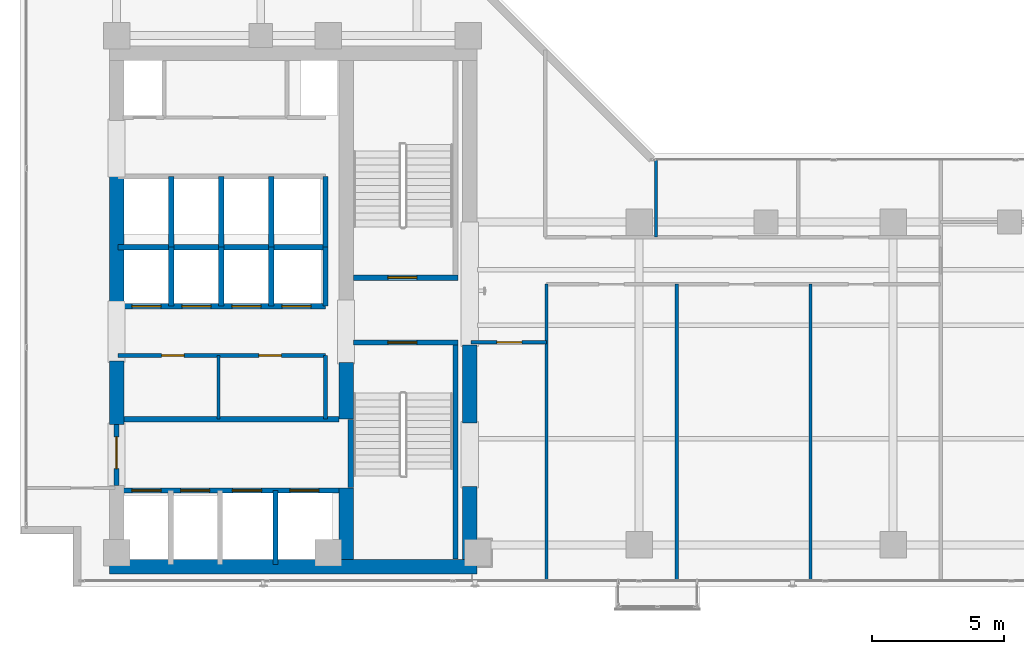
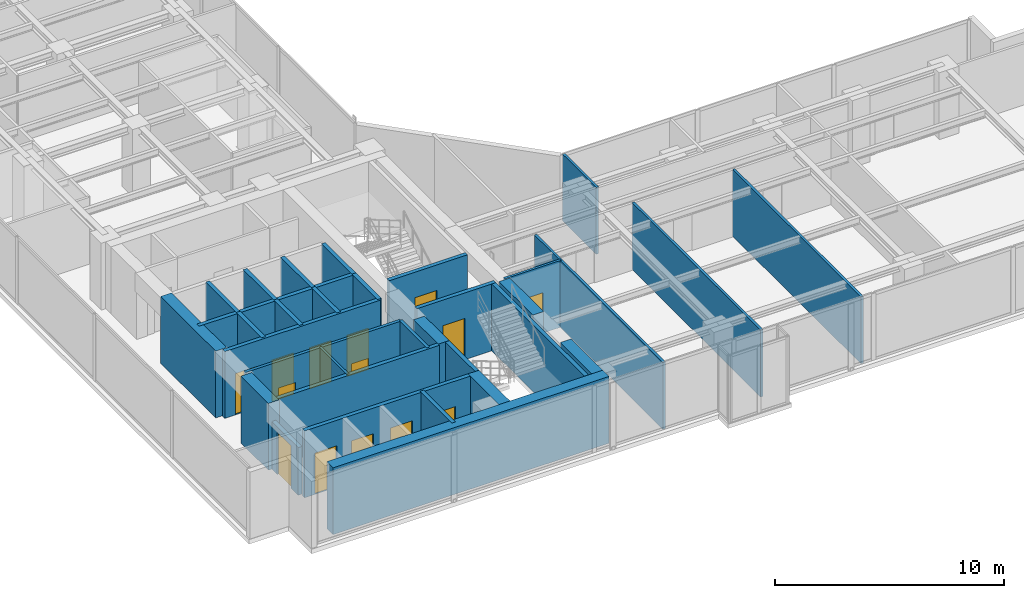
# One storey, part 17 of 23: 33 walls, 14 doors, 14 openings.
"""IFC4 building model written with IfcOpenShell, lengths in metres."""

from ifc_helpers import new_model, si_unit, direction, frame, frame_2d, origin, place, context, subcontext, project, spatial, rectangle, extrude, material, layer, layer_set, type_object, element, fill, save


model = new_model("IFC4")

# Units and contexts
model_context = context("Model", 3, precision=1e-05, world=origin(), true_north=direction((0.0, 1.0)))
body_context = subcontext(model_context, "Body", "Model", "MODEL_VIEW")
ifc_project = project(units=[si_unit("LENGTHUNIT", "METRE"), si_unit("AREAUNIT", "SQUARE_METRE"), si_unit("VOLUMEUNIT", "CUBIC_METRE"), si_unit("PLANEANGLEUNIT", "RADIAN"), si_unit("MASSUNIT", "GRAM", prefix="KILO")], contexts=[model_context])

# Site, building, storey
site_placement = place(None, origin())
site = spatial("IfcSite", under=ifc_project, at=site_placement, CompositionType="ELEMENT")
building_placement = place(site_placement, origin())
building = spatial("IfcBuilding", under=site, at=building_placement, Name="Kolvaren Waterfront Exchange", CompositionType="ELEMENT")
storey_placement = place(building_placement, frame((0.0, 0.0, 215.89990234375)))
storey = spatial("IfcBuildingStorey", under=building, at=storey_placement, Name="L55", CompositionType="ELEMENT", Elevation=215.89990234375)

# Wall, opening, door
ifc_material_1 = material(Name="Precast concrete C40/50", Category="concrete")
ifc_layer_1 = layer(ifc_material_1, 0.199951171875, Name="Precast concrete C40/50")
ifc_layer_set_1 = layer_set([ifc_layer_1], Name="Precast concrete C40/50")
wall_type_1 = type_object("IfcWallType", Name="ARC-FIRE-200", PredefinedType="PARTITIONING", material=ifc_layer_set_1)
wall_1_placement = place(storey_placement, frame((16.39990234375, 12.85009765625, 0.0), z_axis=(0.0, 0.0, 1.0), x_axis=(1.0, 0.0, 0.0)))
wall_1 = element("IfcWall", 1, at=wall_1_placement, inside=storey, type_object=wall_type_1, Name="L55 interior wall PW-L55-ST1-THROAT-S", PredefinedType="PARTITIONING", context=body_context, shape_type="SweptSolid", body=[
    extrude(rectangle(XDim=3.960205078125, YDim=0.199951171875, at=frame_2d((1.97998046875, 0.0))), origin(), (0.0, 0.0, 1.0), 3.56005859375),
])
opening_1_placement = place(wall_1_placement, frame((1.3037109375, 0.0, 0.0)))
opening_1 = element("IfcOpeningElement", 2, at=opening_1_placement, cuts=wall_1, Name="Opening FD2", PredefinedType="OPENING", context=body_context, shape_type="SweptSolid", body=[
    extrude(rectangle(XDim=1.10009765625, YDim=2.199951171875, at=frame_2d((0.550048828125, 1.10009765625))), frame((0.0, 0.10986328125, 0.0), z_axis=(0.0, -1.0, 0.0), x_axis=(1.0, 0.0, 0.0)), (0.0, 0.0, 1.0), 0.219970703125),
])
ifc_material_2 = material(Name="Pressed steel smoke-seal fire door", Category="steel")
door_type_1 = type_object("IfcDoorType", Name="ARC-FD-1100", OperationType="NOTDEFINED", PredefinedType="DOOR", material=ifc_material_2)
door_1_placement = place(opening_1_placement, frame((1.10009765625, 0.0, 0.0), z_axis=(0.0, 0.0, 1.0), x_axis=(-1.0, 0.0, 0.0)))
door_1 = element("IfcDoor", 3, at=door_1_placement, inside=storey, type_object=door_type_1, Name="L55 door DR-L55-ST1-IN (FD2)", OperationType="SINGLE_SWING_LEFT", OverallHeight=2.199951171875, OverallWidth=1.10009765625, PredefinedType="DOOR", context=body_context, shape_type="SweptSolid", body=[
    extrude(rectangle(XDim=1.10009765625, YDim=2.199951171875, at=frame_2d((0.550048828125, 1.10009765625))), frame((0.0, 0.02490234375, 0.0), z_axis=(0.0, -1.0, 0.0), x_axis=(1.0, 0.0, 0.0)), (0.0, 0.0, 1.0), 0.050048828125),
])
fill(opening_1, door_1)

wall_2_placement = place(storey_placement, frame((16.409912109375, 15.300048828125, 0.0), z_axis=(0.0, 0.0, 1.0), x_axis=(1.0, 0.0, 0.0)))
wall_2 = element("IfcWall", 4, at=wall_2_placement, inside=storey, type_object=wall_type_1, Name="L55 interior wall PW-L55-ST2-THROAT-N", PredefinedType="PARTITIONING", context=body_context, shape_type="SweptSolid", body=[
    extrude(rectangle(XDim=3.9501953125, YDim=0.199951171875, at=frame_2d((1.97509765625, 0.0))), origin(), (0.0, 0.0, 1.0), 3.56005859375),
])
opening_2_placement = place(wall_2_placement, frame((1.293701171875, 0.0, 0.0)))
opening_2 = element("IfcOpeningElement", 5, at=opening_2_placement, cuts=wall_2, Name="Opening FD2", PredefinedType="OPENING", context=body_context, shape_type="SweptSolid", body=[
    extrude(rectangle(XDim=1.10009765625, YDim=2.199951171875, at=frame_2d((0.550048828125, 1.10009765625))), frame((0.0, 0.10986328125, 0.0), z_axis=(0.0, -1.0, 0.0), x_axis=(1.0, 0.0, 0.0)), (0.0, 0.0, 1.0), 0.219970703125),
])
door_2_placement = place(opening_2_placement, origin())
door_2 = element("IfcDoor", 6, at=door_2_placement, inside=storey, type_object=door_type_1, Name="L55 door DR-L55-ST2-IN (FD2)", OperationType="SINGLE_SWING_RIGHT", OverallHeight=2.199951171875, OverallWidth=1.10009765625, PredefinedType="DOOR", context=body_context, shape_type="SweptSolid", body=[
    extrude(rectangle(XDim=1.10009765625, YDim=2.199951171875, at=frame_2d((0.550048828125, 1.10009765625))), frame((0.0, 0.02490234375, 0.0), z_axis=(0.0, -1.0, 0.0), x_axis=(1.0, 0.0, 0.0)), (0.0, 0.0, 1.0), 0.050048828125),
])
fill(opening_2, door_2)

# Wall
wall_3_placement = place(storey_placement, frame((7.5, 9.949951171875, 0.0), z_axis=(0.0, 0.0, 1.0), x_axis=(1.0, 0.0, 0.0)))
element("IfcWall", 7, at=wall_3_placement, inside=storey, type_object=wall_type_1, Name="L55 interior wall PW-L55-FF-N", PredefinedType="PARTITIONING", context=body_context, shape_type="SweptSolid", body=[
    extrude(rectangle(XDim=8.35009765625, YDim=0.199951171875, at=frame_2d((4.175048828125, 0.0))), origin(), (0.0, 0.0, 1.0), 3.56005859375),
])

# Wall, opening, door
wall_4_placement = place(storey_placement, frame((7.449951171875, 7.449951171875, 0.0), z_axis=(0.0, 0.0, 1.0), x_axis=(0.0, 1.0, 0.0)))
wall_4 = element("IfcWall", 8, at=wall_4_placement, inside=storey, type_object=wall_type_1, Name="L55 interior wall PW-L55-FF-W-DOOR", PredefinedType="PARTITIONING", context=body_context, shape_type="SweptSolid", body=[
    extrude(rectangle(XDim=2.300048828125, YDim=0.199951171875, at=frame_2d((1.14990234375, 0.0))), origin(), (0.0, 0.0, 1.0), 2.5400390625),
])
opening_3_placement = place(wall_4_placement, frame((0.63330078125, 0.0, 0.0)))
opening_3 = element("IfcOpeningElement", 9, at=opening_3_placement, cuts=wall_4, Name="Opening FD3", PredefinedType="OPENING", context=body_context, shape_type="SweptSolid", body=[
    extrude(rectangle(XDim=1.199951171875, YDim=2.25, at=frame_2d((0.60009765625, 1.125))), frame((0.0, 0.10986328125, 0.0), z_axis=(0.0, -1.0, 0.0), x_axis=(1.0, 0.0, 0.0)), (0.0, 0.0, 1.0), 0.219970703125),
])
ifc_material_3 = material(Name="Pressed steel fire door", Category="steel")
door_type_2 = type_object("IfcDoorType", Name="ARC-FD-1200", OperationType="NOTDEFINED", PredefinedType="DOOR", material=ifc_material_3)
door_3_placement = place(opening_3_placement, frame((1.199951171875, 0.0, 0.0), z_axis=(0.0, 0.0, 1.0), x_axis=(-1.0, 0.0, 0.0)))
door_3 = element("IfcDoor", 10, at=door_3_placement, inside=storey, type_object=door_type_2, Name="L55 door DR-L55-FF-OUT (FD3)", OperationType="SINGLE_SWING_LEFT", OverallHeight=2.25, OverallWidth=1.199951171875, PredefinedType="DOOR", context=body_context, shape_type="SweptSolid", body=[
    extrude(rectangle(XDim=1.199951171875, YDim=2.25, at=frame_2d((0.60009765625, 1.125))), frame((0.0, 0.02490234375, 0.0), z_axis=(0.0, -1.0, 0.0), x_axis=(1.0, 0.0, 0.0)), (0.0, 0.0, 1.0), 0.050048828125),
])
fill(opening_3, door_3)

# Wall
ifc_material_4 = material(Name="Acoustic gypsum steel stud", Category="steel")
ifc_layer_2 = layer(ifc_material_4, 0.125, Name="Acoustic gypsum steel stud")
ifc_layer_set_2 = layer_set([ifc_layer_2], Name="Acoustic gypsum steel stud")
wall_type_2 = type_object("IfcWallType", Name="ARC-PART-125", PredefinedType="PARTITIONING", material=ifc_layer_set_2)
wall_5_placement = place(storey_placement, frame((11.300048828125, 9.949951171875, 0.0), z_axis=(0.0, 0.0, 1.0), x_axis=(0.0, 1.0, 0.0)))
element("IfcWall", 11, at=wall_5_placement, inside=storey, type_object=wall_type_2, Name="L55 interior wall PW-L55-REC-PL-MID", PredefinedType="PARTITIONING", context=body_context, shape_type="SweptSolid", body=[
    extrude(rectangle(XDim=2.41015625, YDim=0.125, at=frame_2d((1.205078125, 0.0))), origin(), (0.0, 0.0, 1.0), 3.56005859375),
])

# Wall, opening, door
wall_6_placement = place(storey_placement, frame((20.85009765625, 12.860107421875, 0.0), z_axis=(0.0, 0.0, 1.0), x_axis=(1.0, 0.0, 0.0)))
wall_6 = element("IfcWall", 12, at=wall_6_placement, inside=storey, type_object=wall_type_2, Name="L55 interior wall PW-L55-SWST3-N", PredefinedType="PARTITIONING", context=body_context, shape_type="SweptSolid", body=[
    extrude(rectangle(XDim=2.849853515625, YDim=0.125, at=frame_2d((1.4248046875, 0.0))), origin(), (0.0, 0.0, 1.0), 3.56005859375),
])
opening_4_placement = place(wall_6_placement, frame((0.971435546875, 0.0, 0.0)))
opening_4 = element("IfcOpeningElement", 13, at=opening_4_placement, cuts=wall_6, Name="Opening D02", PredefinedType="OPENING", context=body_context, shape_type="SweptSolid", body=[
    extrude(rectangle(XDim=0.949951171875, YDim=2.14990234375, at=frame_2d((0.47509765625, 1.074951171875))), frame((0.0, 0.072509765625, 0.0), z_axis=(0.0, -1.0, 0.0), x_axis=(1.0, 0.0, 0.0)), (0.0, 0.0, 1.0), 0.14501953125),
])
ifc_material_5 = material(Name="Oak veneer acoustic timber", Category="wood")
door_type_3 = type_object("IfcDoorType", Name="ARC-DR-950", OperationType="NOTDEFINED", PredefinedType="DOOR", material=ifc_material_5)
door_4_placement = place(opening_4_placement, origin())
door_4 = element("IfcDoor", 14, at=door_4_placement, inside=storey, type_object=door_type_3, Name="L55 door DR-L55-SWST3-D (D02)", OperationType="SINGLE_SWING_RIGHT", OverallHeight=2.14990234375, OverallWidth=0.949951171875, PredefinedType="DOOR", context=body_context, shape_type="SweptSolid", body=[
    extrude(rectangle(XDim=0.949951171875, YDim=2.14990234375, at=frame_2d((0.47509765625, 1.074951171875))), frame((0.0, 0.02490234375, 0.0), z_axis=(0.0, -1.0, 0.0), x_axis=(1.0, 0.0, 0.0)), (0.0, 0.0, 1.0), 0.050048828125),
])
fill(opening_4, door_4)

# Walls
for number, where, z_axis, x_axis, name in (
    (15, (23.699951171875, 3.840087890625, 0.0), (0.0, 0.0, 1.0), (0.0, 1.0, 0.0), "L55 interior wall PW-L55-ES-W0"),
    (16, (28.6201171875, 3.840087890625, 0.0), (0.0, 0.0, 1.0), (0.0, 1.0, 0.0), "L55 interior wall PW-L55-ES-DIV-1"),
    (17, (33.679931640625, 3.840087890625, 0.0), (0.0, 0.0, 1.0), (0.0, 1.0, 0.0), "L55 interior wall PW-L55-ES-DIV-2"),
):
    element("IfcWall", number, at=place(storey_placement, frame(where, z_axis=z_axis, x_axis=x_axis)), inside=storey, type_object=wall_type_2, Name=name, PredefinedType="PARTITIONING", context=body_context, shape_type="SweptSolid", body=[
        extrude(rectangle(XDim=11.2099609375, YDim=0.125, at=frame_2d((5.60498046875, 0.0))), origin(), (0.0, 0.0, 1.0), 3.56005859375),
    ])
wall_7_placement = place(storey_placement, frame((27.840087890625, 16.830078125, 0.0), z_axis=(0.0, 0.0, 1.0), x_axis=(0.0, 1.0, 0.0)))
element("IfcWall", 18, at=wall_7_placement, inside=storey, type_object=wall_type_2, Name="L55 interior wall PW-L55-EN-DIV-1", PredefinedType="PARTITIONING", context=body_context, shape_type="SweptSolid", body=[
    extrude(rectangle(XDim=2.929931640625, YDim=0.125, at=frame_2d((1.46484375, 0.0))), origin(), (0.0, 0.0, 1.0), 3.56005859375),
])

# Wall, openings, doors
ifc_material_6 = material(Name="Gypsum fireboard steel stud", Category="steel")
ifc_layer_3 = layer(ifc_material_6, 0.14990234375, Name="Gypsum fireboard steel stud")
ifc_layer_set_3 = layer_set([ifc_layer_3], Name="Gypsum fireboard steel stud")
wall_type_3 = type_object("IfcWallType", Name="ARC-PART-150", PredefinedType="PARTITIONING", material=ifc_layer_set_3)
wall_8_placement = place(storey_placement, frame((7.5, 12.360107421875, 0.0), z_axis=(0.0, 0.0, 1.0), x_axis=(1.0, 0.0, 0.0)))
wall_8 = element("IfcWall", 19, at=wall_8_placement, inside=storey, type_object=wall_type_3, Name="L55 interior wall PW-L55-REC-PL-N", PredefinedType="PARTITIONING", context=body_context, shape_type="SweptSolid", body=[
    extrude(rectangle(XDim=7.85009765625, YDim=0.14990234375, at=frame_2d((3.925048828125, 0.0))), origin(), (0.0, 0.0, 1.0), 3.56005859375),
])
opening_5_placement = place(wall_8_placement, frame((1.64990234375, 0.0, 0.0)))
opening_5 = element("IfcOpeningElement", 20, at=opening_5_placement, cuts=wall_8, Name="Opening D01", PredefinedType="OPENING", context=body_context, shape_type="SweptSolid", body=[
    extrude(rectangle(XDim=0.85009765625, YDim=2.14990234375, at=frame_2d((0.425048828125, 1.074951171875))), frame((0.0, 0.0849609375, 0.0), z_axis=(0.0, -1.0, 0.0), x_axis=(1.0, 0.0, 0.0)), (0.0, 0.0, 1.0), 0.169921875),
])
opening_6_placement = place(wall_8_placement, frame((5.329345703125, 0.0, 0.0)))
opening_6 = element("IfcOpeningElement", 21, at=opening_6_placement, cuts=wall_8, Name="Opening D01", PredefinedType="OPENING", context=body_context, shape_type="SweptSolid", body=[
    extrude(rectangle(XDim=0.85009765625, YDim=2.14990234375, at=frame_2d((0.425048828125, 1.074951171875))), frame((0.0, 0.0849609375, 0.0), z_axis=(0.0, -1.0, 0.0), x_axis=(1.0, 0.0, 0.0)), (0.0, 0.0, 1.0), 0.169921875),
])
ifc_material_7 = material(Name="Oak veneer timber leaf", Category="wood")
door_type_4 = type_object("IfcDoorType", Name="ARC-DR-900", OperationType="NOTDEFINED", PredefinedType="DOOR", material=ifc_material_7)
door_5_placement = place(opening_5_placement, origin())
door_5 = element("IfcDoor", 22, at=door_5_placement, inside=storey, type_object=door_type_4, Name="L55 door DR-L55-REC-PL-D1 (D01)", OperationType="SINGLE_SWING_RIGHT", OverallHeight=2.14990234375, OverallWidth=0.85009765625, PredefinedType="DOOR", context=body_context, shape_type="SweptSolid", body=[
    extrude(rectangle(XDim=0.85009765625, YDim=2.14990234375, at=frame_2d((0.425048828125, 1.074951171875))), frame((0.0, 0.02490234375, 0.0), z_axis=(0.0, -1.0, 0.0), x_axis=(1.0, 0.0, 0.0)), (0.0, 0.0, 1.0), 0.050048828125),
])
fill(opening_5, door_5)
door_6_placement = place(opening_6_placement, origin())
door_6 = element("IfcDoor", 23, at=door_6_placement, inside=storey, type_object=door_type_4, Name="L55 door DR-L55-REC-PL-D2 (D01)", OperationType="SINGLE_SWING_LEFT", OverallHeight=2.14990234375, OverallWidth=0.85009765625, PredefinedType="DOOR", context=body_context, shape_type="SweptSolid", body=[
    extrude(rectangle(XDim=0.85009765625, YDim=2.14990234375, at=frame_2d((0.425048828125, 1.074951171875))), frame((0.0, 0.02490234375, 0.0), z_axis=(0.0, -1.0, 0.0), x_axis=(1.0, 0.0, 0.0)), (0.0, 0.0, 1.0), 0.050048828125),
])
fill(opening_6, door_6)

# Walls
wall_9_placement = place(storey_placement, frame((15.35009765625, 9.949951171875, 0.0), z_axis=(0.0, 0.0, 1.0), x_axis=(0.0, 1.0, 0.0)))
element("IfcWall", 24, at=wall_9_placement, inside=storey, type_object=wall_type_3, Name="L55 interior wall PW-L55-REC-PL-E", PredefinedType="PARTITIONING", context=body_context, shape_type="SweptSolid", body=[
    extrude(rectangle(XDim=2.41015625, YDim=0.14990234375, at=frame_2d((1.205078125, 0.0))), origin(), (0.0, 0.0, 1.0), 3.56005859375),
])
ifc_material_8 = material(Name="Concrete C40/50", Category="concrete")
ifc_layer_4 = layer(ifc_material_8, 0.199951171875, Name="Concrete C40/50")
ifc_layer_set_4 = layer_set([ifc_layer_4], Name="Concrete C40/50")
wall_type_4 = type_object("IfcWallType", Name="ARC-SHAFT-200", PredefinedType="PARTITIONING", material=ifc_layer_set_4)
wall_10_placement = place(storey_placement, frame((16.300048828125, 7.360107421875, 0.0), z_axis=(0.0, 0.0, 1.0), x_axis=(0.0, 1.0, 0.0)))
element("IfcWall", 25, at=wall_10_placement, inside=storey, type_object=wall_type_4, Name="L55 structural stairwell wall PW-L55-ST1-W", PredefinedType="SHEAR", context=body_context, shape_type="SweptSolid", body=[
    extrude(rectangle(XDim=2.579833984375, YDim=0.199951171875, at=frame_2d((1.2900390625, 0.0))), origin(), (0.0, 0.0, 1.0), 3.56005859375),
])
wall_11_placement = place(storey_placement, frame((20.260009765625, 4.659912109375, 0.0), z_axis=(0.0, 0.0, 1.0), x_axis=(0.0, 1.0, 0.0)))
element("IfcWall", 26, at=wall_11_placement, inside=storey, type_object=wall_type_4, Name="L55 structural stairwell wall PW-L55-ST1-E", PredefinedType="SHEAR", context=body_context, shape_type="SweptSolid", body=[
    extrude(rectangle(XDim=8.090087890625, YDim=0.199951171875, at=frame_2d((4.044921875, 0.0))), origin(), (0.0, 0.0, 1.0), 3.56005859375),
])

# Wall, openings, doors
wall_12_placement = place(storey_placement, frame((7.5, 7.25, 0.0), z_axis=(0.0, 0.0, 1.0), x_axis=(1.0, 0.0, 0.0)))
wall_12 = element("IfcWall", 27, at=wall_12_placement, inside=storey, type_object=wall_type_4, Name="L55 interior wall PW-L55-FF-S", PredefinedType="PARTITIONING", context=body_context, shape_type="SweptSolid", body=[
    extrude(rectangle(XDim=8.35009765625, YDim=0.199951171875, at=frame_2d((4.175048828125, 0.0))), origin(), (0.0, 0.0, 1.0), 3.56005859375),
])
opening_7_placement = place(wall_12_placement, frame((0.530029296875, 0.0, 0.0)))
opening_7 = element("IfcOpeningElement", 28, at=opening_7_placement, cuts=wall_12, Name="Opening LD1", PredefinedType="OPENING", context=body_context, shape_type="SweptSolid", body=[
    extrude(rectangle(XDim=1.10009765625, YDim=2.199951171875, at=frame_2d((0.550048828125, 1.10009765625))), frame((0.0, 0.10986328125, 0.0), z_axis=(0.0, -1.0, 0.0), x_axis=(1.0, 0.0, 0.0)), (0.0, 0.0, 1.0), 0.219970703125),
])
opening_8_placement = place(wall_12_placement, frame((2.3701171875, 0.0, 0.0)))
opening_8 = element("IfcOpeningElement", 29, at=opening_8_placement, cuts=wall_12, Name="Opening LD1", PredefinedType="OPENING", context=body_context, shape_type="SweptSolid", body=[
    extrude(rectangle(XDim=1.10009765625, YDim=2.199951171875, at=frame_2d((0.550048828125, 1.10009765625))), frame((0.0, 0.10986328125, 0.0), z_axis=(0.0, -1.0, 0.0), x_axis=(1.0, 0.0, 0.0)), (0.0, 0.0, 1.0), 0.219970703125),
])
opening_9_placement = place(wall_12_placement, frame((4.330078125, 0.0, 0.0)))
opening_9 = element("IfcOpeningElement", 30, at=opening_9_placement, cuts=wall_12, Name="Opening LD1", PredefinedType="OPENING", context=body_context, shape_type="SweptSolid", body=[
    extrude(rectangle(XDim=1.10009765625, YDim=2.199951171875, at=frame_2d((0.550048828125, 1.10009765625))), frame((0.0, 0.10986328125, 0.0), z_axis=(0.0, -1.0, 0.0), x_axis=(1.0, 0.0, 0.0)), (0.0, 0.0, 1.0), 0.219970703125),
])
opening_10_placement = place(wall_12_placement, frame((6.5, 0.0, 0.0)))
opening_10 = element("IfcOpeningElement", 31, at=opening_10_placement, cuts=wall_12, Name="Opening LD1", PredefinedType="OPENING", context=body_context, shape_type="SweptSolid", body=[
    extrude(rectangle(XDim=1.10009765625, YDim=2.199951171875, at=frame_2d((0.550048828125, 1.10009765625))), frame((0.0, 0.10986328125, 0.0), z_axis=(0.0, -1.0, 0.0), x_axis=(1.0, 0.0, 0.0)), (0.0, 0.0, 1.0), 0.219970703125),
])
ifc_material_9 = material(Name="Stainless steel sliding landing door", Category="steel")
door_type_5 = type_object("IfcDoorType", Name="ARC-LD-FF", OperationType="SLIDING_TO_LEFT", PredefinedType="DOOR", material=ifc_material_9)
door_7_placement = place(opening_7_placement, origin())
door_7 = element("IfcDoor", 32, at=door_7_placement, inside=storey, type_object=door_type_5, Name="L55 door LD-L55-FFL1 (LD1)", OperationType="SLIDING_TO_LEFT", OverallHeight=2.199951171875, OverallWidth=1.10009765625, PredefinedType="DOOR", context=body_context, shape_type="SweptSolid", body=[
    extrude(rectangle(XDim=1.10009765625, YDim=2.199951171875, at=frame_2d((0.550048828125, 1.10009765625))), frame((0.0, 0.02490234375, 0.0), z_axis=(0.0, -1.0, 0.0), x_axis=(1.0, 0.0, 0.0)), (0.0, 0.0, 1.0), 0.050048828125),
])
fill(opening_7, door_7)
door_8_placement = place(opening_8_placement, origin())
door_8 = element("IfcDoor", 33, at=door_8_placement, inside=storey, type_object=door_type_5, Name="L55 door LD-L55-FFL2 (LD1)", OperationType="SLIDING_TO_LEFT", OverallHeight=2.199951171875, OverallWidth=1.10009765625, PredefinedType="DOOR", context=body_context, shape_type="SweptSolid", body=[
    extrude(rectangle(XDim=1.10009765625, YDim=2.199951171875, at=frame_2d((0.550048828125, 1.10009765625))), frame((0.0, 0.02490234375, 0.0), z_axis=(0.0, -1.0, 0.0), x_axis=(1.0, 0.0, 0.0)), (0.0, 0.0, 1.0), 0.050048828125),
])
fill(opening_8, door_8)
door_9_placement = place(opening_9_placement, origin())
door_9 = element("IfcDoor", 34, at=door_9_placement, inside=storey, type_object=door_type_5, Name="L55 door LD-L55-GL1 (LD1)", OperationType="SLIDING_TO_LEFT", OverallHeight=2.199951171875, OverallWidth=1.10009765625, PredefinedType="DOOR", context=body_context, shape_type="SweptSolid", body=[
    extrude(rectangle(XDim=1.10009765625, YDim=2.199951171875, at=frame_2d((0.550048828125, 1.10009765625))), frame((0.0, 0.02490234375, 0.0), z_axis=(0.0, -1.0, 0.0), x_axis=(1.0, 0.0, 0.0)), (0.0, 0.0, 1.0), 0.050048828125),
])
fill(opening_9, door_9)
door_10_placement = place(opening_10_placement, origin())
door_10 = element("IfcDoor", 35, at=door_10_placement, inside=storey, type_object=door_type_5, Name="L55 door LD-L55-GL2 (LD1)", OperationType="SLIDING_TO_LEFT", OverallHeight=2.199951171875, OverallWidth=1.10009765625, PredefinedType="DOOR", context=body_context, shape_type="SweptSolid", body=[
    extrude(rectangle(XDim=1.10009765625, YDim=2.199951171875, at=frame_2d((0.550048828125, 1.10009765625))), frame((0.0, 0.02490234375, 0.0), z_axis=(0.0, -1.0, 0.0), x_axis=(1.0, 0.0, 0.0)), (0.0, 0.0, 1.0), 0.050048828125),
])
fill(opening_10, door_10)

# Wall
wall_13_placement = place(storey_placement, frame((13.4599609375, 4.449951171875, 0.0), z_axis=(0.0, 0.0, 1.0), x_axis=(0.0, 1.0, 0.0)))
element("IfcWall", 36, at=wall_13_placement, inside=storey, type_object=wall_type_4, Name="L55 interior wall PW-L55-SH1-DIV-134", PredefinedType="PARTITIONING", context=body_context, shape_type="SweptSolid", body=[
    extrude(rectangle(XDim=2.800048828125, YDim=0.199951171875, at=frame_2d((1.39990234375, 0.0))), origin(), (0.0, 0.0, 1.0), 3.56005859375),
])

# Wall, openings, doors
wall_14_placement = place(storey_placement, frame((7.5, 14.219970703125, 0.0), z_axis=(0.0, 0.0, 1.0), x_axis=(1.0, 0.0, 0.0)))
wall_14 = element("IfcWall", 37, at=wall_14_placement, inside=storey, type_object=wall_type_4, Name="L55 interior wall PW-L55-PM-S", PredefinedType="PARTITIONING", context=body_context, shape_type="SweptSolid", body=[
    extrude(rectangle(XDim=7.85009765625, YDim=0.199951171875, at=frame_2d((3.925048828125, 0.0))), origin(), (0.0, 0.0, 1.0), 3.56005859375),
])
opening_11_placement = place(wall_14_placement, frame((0.530029296875, 0.0, 0.0)))
opening_11 = element("IfcOpeningElement", 38, at=opening_11_placement, cuts=wall_14, Name="Opening LD2", PredefinedType="OPENING", context=body_context, shape_type="SweptSolid", body=[
    extrude(rectangle(XDim=1.10009765625, YDim=2.199951171875, at=frame_2d((0.550048828125, 1.10009765625))), frame((0.0, 0.10986328125, 0.0), z_axis=(0.0, -1.0, 0.0), x_axis=(1.0, 0.0, 0.0)), (0.0, 0.0, 1.0), 0.219970703125),
])
opening_12_placement = place(wall_14_placement, frame((2.419921875, 0.0, 0.0)))
opening_12 = element("IfcOpeningElement", 39, at=opening_12_placement, cuts=wall_14, Name="Opening LD2", PredefinedType="OPENING", context=body_context, shape_type="SweptSolid", body=[
    extrude(rectangle(XDim=1.10009765625, YDim=2.199951171875, at=frame_2d((0.550048828125, 1.10009765625))), frame((0.0, 0.10986328125, 0.0), z_axis=(0.0, -1.0, 0.0), x_axis=(1.0, 0.0, 0.0)), (0.0, 0.0, 1.0), 0.219970703125),
])
opening_13_placement = place(wall_14_placement, frame((4.31005859375, 0.0, 0.0)))
opening_13 = element("IfcOpeningElement", 40, at=opening_13_placement, cuts=wall_14, Name="Opening LD2", PredefinedType="OPENING", context=body_context, shape_type="SweptSolid", body=[
    extrude(rectangle(XDim=1.10009765625, YDim=2.199951171875, at=frame_2d((0.550048828125, 1.10009765625))), frame((0.0, 0.10986328125, 0.0), z_axis=(0.0, -1.0, 0.0), x_axis=(1.0, 0.0, 0.0)), (0.0, 0.0, 1.0), 0.219970703125),
])
opening_14_placement = place(wall_14_placement, frame((6.199951171875, 0.0, 0.0)))
opening_14 = element("IfcOpeningElement", 41, at=opening_14_placement, cuts=wall_14, Name="Opening LD2", PredefinedType="OPENING", context=body_context, shape_type="SweptSolid", body=[
    extrude(rectangle(XDim=1.10009765625, YDim=2.199951171875, at=frame_2d((0.550048828125, 1.10009765625))), frame((0.0, 0.10986328125, 0.0), z_axis=(0.0, -1.0, 0.0), x_axis=(1.0, 0.0, 0.0)), (0.0, 0.0, 1.0), 0.219970703125),
])
ifc_material_10 = material(Name="Brushed bronze sliding landing door", Category="aluminium")
door_type_6 = type_object("IfcDoorType", Name="ARC-LD-PAX", OperationType="SLIDING_TO_LEFT", PredefinedType="DOOR", material=ifc_material_10)
door_11_placement = place(opening_11_placement, frame((1.10009765625, 0.0, 0.0), z_axis=(0.0, 0.0, 1.0), x_axis=(-1.0, 0.0, 0.0)))
door_11 = element("IfcDoor", 42, at=door_11_placement, inside=storey, type_object=door_type_6, Name="L55 door LD-L55-PM1 (LD2)", OperationType="SLIDING_TO_LEFT", OverallHeight=2.199951171875, OverallWidth=1.10009765625, PredefinedType="DOOR", context=body_context, shape_type="SweptSolid", body=[
    extrude(rectangle(XDim=1.10009765625, YDim=2.199951171875, at=frame_2d((0.550048828125, 1.10009765625))), frame((0.0, 0.02490234375, 0.0), z_axis=(0.0, -1.0, 0.0), x_axis=(1.0, 0.0, 0.0)), (0.0, 0.0, 1.0), 0.050048828125),
])
fill(opening_11, door_11)
door_12_placement = place(opening_12_placement, frame((1.10009765625, 0.0, 0.0), z_axis=(0.0, 0.0, 1.0), x_axis=(-1.0, 0.0, 0.0)))
door_12 = element("IfcDoor", 43, at=door_12_placement, inside=storey, type_object=door_type_6, Name="L55 door LD-L55-PM2 (LD2)", OperationType="SLIDING_TO_LEFT", OverallHeight=2.199951171875, OverallWidth=1.10009765625, PredefinedType="DOOR", context=body_context, shape_type="SweptSolid", body=[
    extrude(rectangle(XDim=1.10009765625, YDim=2.199951171875, at=frame_2d((0.550048828125, 1.10009765625))), frame((0.0, 0.02490234375, 0.0), z_axis=(0.0, -1.0, 0.0), x_axis=(1.0, 0.0, 0.0)), (0.0, 0.0, 1.0), 0.050048828125),
])
fill(opening_12, door_12)
door_13_placement = place(opening_13_placement, frame((1.10009765625, 0.0, 0.0), z_axis=(0.0, 0.0, 1.0), x_axis=(-1.0, 0.0, 0.0)))
door_13 = element("IfcDoor", 44, at=door_13_placement, inside=storey, type_object=door_type_6, Name="L55 door LD-L55-PM3 (LD2)", OperationType="SLIDING_TO_LEFT", OverallHeight=2.199951171875, OverallWidth=1.10009765625, PredefinedType="DOOR", context=body_context, shape_type="SweptSolid", body=[
    extrude(rectangle(XDim=1.10009765625, YDim=2.199951171875, at=frame_2d((0.550048828125, 1.10009765625))), frame((0.0, 0.02490234375, 0.0), z_axis=(0.0, -1.0, 0.0), x_axis=(1.0, 0.0, 0.0)), (0.0, 0.0, 1.0), 0.050048828125),
])
fill(opening_13, door_13)
door_14_placement = place(opening_14_placement, frame((1.10009765625, 0.0, 0.0), z_axis=(0.0, 0.0, 1.0), x_axis=(-1.0, 0.0, 0.0)))
door_14 = element("IfcDoor", 45, at=door_14_placement, inside=storey, type_object=door_type_6, Name="L55 door LD-L55-PM4 (LD2)", OperationType="SLIDING_TO_LEFT", OverallHeight=2.199951171875, OverallWidth=1.10009765625, PredefinedType="DOOR", context=body_context, shape_type="SweptSolid", body=[
    extrude(rectangle(XDim=1.10009765625, YDim=2.199951171875, at=frame_2d((0.550048828125, 1.10009765625))), frame((0.0, 0.02490234375, 0.0), z_axis=(0.0, -1.0, 0.0), x_axis=(1.0, 0.0, 0.0)), (0.0, 0.0, 1.0), 0.050048828125),
])
fill(opening_14, door_14)

# Walls
wall_15_placement = place(storey_placement, frame((7.5, 16.449951171875, 0.0), z_axis=(0.0, 0.0, 1.0), x_axis=(1.0, 0.0, 0.0)))
element("IfcWall", 46, at=wall_15_placement, inside=storey, type_object=wall_type_4, Name="L55 interior wall PW-L55-PM-N", PredefinedType="PARTITIONING", context=body_context, shape_type="SweptSolid", body=[
    extrude(rectangle(XDim=7.85009765625, YDim=0.199951171875, at=frame_2d((3.925048828125, 0.0))), origin(), (0.0, 0.0, 1.0), 3.56005859375),
])
for number, where, z_axis, x_axis, name in (
    (47, (15.35009765625, 14.219970703125, 0.0), (0.0, 0.0, 1.0), (0.0, 1.0, 0.0), "L55 interior wall PW-L55-PM-E"),
    (48, (9.52001953125, 14.219970703125, 0.0), (0.0, 0.0, 1.0), (0.0, 1.0, 0.0), "L55 interior wall PW-L55-SH3-DIV-95"),
    (49, (11.409912109375, 14.219970703125, 0.0), (0.0, 0.0, 1.0), (0.0, 1.0, 0.0), "L55 interior wall PW-L55-SH3-DIV-114"),
    (50, (13.300048828125, 14.219970703125, 0.0), (0.0, 0.0, 1.0), (0.0, 1.0, 0.0), "L55 interior wall PW-L55-SH3-DIV-133"),
):
    element("IfcWall", number, at=place(storey_placement, frame(where, z_axis=z_axis, x_axis=x_axis)), inside=storey, type_object=wall_type_4, Name=name, PredefinedType="PARTITIONING", context=body_context, shape_type="SweptSolid", body=[
        extrude(rectangle(XDim=2.22998046875, YDim=0.199951171875, at=frame_2d((1.114990234375, 0.0))), origin(), (0.0, 0.0, 1.0), 3.56005859375),
    ])
for number, where, z_axis, x_axis, name in (
    (51, (15.35009765625, 16.449951171875, 0.0), (0.0, 0.0, 1.0), (0.0, 1.0, 0.0), "L55 interior wall PW-L55-PH-E"),
    (52, (9.52001953125, 16.449951171875, 0.0), (0.0, 0.0, 1.0), (0.0, 1.0, 0.0), "L55 interior wall PW-L55-SH4-DIV-95"),
    (53, (11.409912109375, 16.449951171875, 0.0), (0.0, 0.0, 1.0), (0.0, 1.0, 0.0), "L55 interior wall PW-L55-SH4-DIV-114"),
    (54, (13.300048828125, 16.449951171875, 0.0), (0.0, 0.0, 1.0), (0.0, 1.0, 0.0), "L55 interior wall PW-L55-SH4-DIV-133"),
):
    element("IfcWall", number, at=place(storey_placement, frame(where, z_axis=z_axis, x_axis=x_axis)), inside=storey, type_object=wall_type_4, Name=name, PredefinedType="PARTITIONING", context=body_context, shape_type="SweptSolid", body=[
        extrude(rectangle(XDim=2.670166015625, YDim=0.199951171875, at=frame_2d((1.3349609375, 0.0))), origin(), (0.0, 0.0, 1.0), 3.56005859375),
    ])
ifc_material_11 = material(Name="Concrete C50/60", Category="concrete")
ifc_layer_5 = layer(ifc_material_11, 0.550048828125, Name="Concrete C50/60")
ifc_layer_set_5 = layer_set([ifc_layer_5], Name="Concrete C50/60")
wall_type_5 = type_object("IfcWallType", Name="STR-CWALL-550", PredefinedType="SHEAR", material=ifc_layer_set_5)
wall_16_placement = place(storey_placement, frame((7.175048828125, 4.375, 0.0), z_axis=(0.0, 0.0, 1.0), x_axis=(1.0, 0.0, 0.0)))
element("IfcWall", 55, at=wall_16_placement, inside=storey, type_object=wall_type_5, Name="L55 rear-core shear wall S", PredefinedType="SHEAR", context=body_context, shape_type="SweptSolid", body=[
    extrude(rectangle(XDim=13.89990234375, YDim=0.550048828125, at=frame_2d((6.949951171875, 0.0))), origin(), (0.0, 0.0, 1.0), 3.56005859375),
])
wall_17_placement = place(storey_placement, frame((7.449951171875, 9.75, 0.0), z_axis=(0.0, 0.0, 1.0), x_axis=(0.0, 1.0, 0.0)))
element("IfcWall", 56, at=wall_17_placement, inside=storey, type_object=wall_type_5, Name="L55 rear-core shear wall W2A", PredefinedType="SHEAR", context=body_context, shape_type="SweptSolid", body=[
    extrude(rectangle(XDim=2.39990234375, YDim=0.550048828125, at=frame_2d((1.199951171875, 0.0))), origin(), (0.0, 0.0, 1.0), 3.56005859375),
])
wall_18_placement = place(storey_placement, frame((7.449951171875, 14.35009765625, 0.0), z_axis=(0.0, 0.0, 1.0), x_axis=(0.0, 1.0, 0.0)))
element("IfcWall", 57, at=wall_18_placement, inside=storey, type_object=wall_type_5, Name="L55 rear-core shear wall W2B", PredefinedType="SHEAR", context=body_context, shape_type="SweptSolid", body=[
    extrude(rectangle(XDim=4.809814453125, YDim=0.550048828125, at=frame_2d((2.40478515625, 0.0))), origin(), (0.0, 0.0, 1.0), 3.56005859375),
])
wall_19_placement = place(storey_placement, frame((20.800048828125, 4.64990234375, 0.0), z_axis=(0.0, 0.0, 1.0), x_axis=(0.0, 1.0, 0.0)))
element("IfcWall", 58, at=wall_19_placement, inside=storey, type_object=wall_type_5, Name="L55 rear-core shear wall E1", PredefinedType="SHEAR", context=body_context, shape_type="SweptSolid", body=[
    extrude(rectangle(XDim=2.75, YDim=0.550048828125, at=frame_2d((1.375, 0.0))), origin(), (0.0, 0.0, 1.0), 3.56005859375),
])
wall_20_placement = place(storey_placement, frame((20.800048828125, 9.800048828125, 0.0), z_axis=(0.0, 0.0, 1.0), x_axis=(0.0, 1.0, 0.0)))
element("IfcWall", 59, at=wall_20_placement, inside=storey, type_object=wall_type_5, Name="L55 rear-core shear wall E2", PredefinedType="SHEAR", context=body_context, shape_type="SweptSolid", body=[
    extrude(rectangle(XDim=2.949951171875, YDim=0.550048828125, at=frame_2d((1.47509765625, 0.0))), origin(), (0.0, 0.0, 1.0), 3.56005859375),
])
wall_21_placement = place(storey_placement, frame((16.125, 4.64990234375, 0.0), z_axis=(0.0, 0.0, 1.0), x_axis=(0.0, 1.0, 0.0)))
element("IfcWall", 60, at=wall_21_placement, inside=storey, type_object=wall_type_5, Name="L55 rear-core shear wall M1", PredefinedType="SHEAR", context=body_context, shape_type="SweptSolid", body=[
    extrude(rectangle(XDim=2.7001953125, YDim=0.550048828125, at=frame_2d((1.35009765625, 0.0))), origin(), (0.0, 0.0, 1.0), 3.56005859375),
])
wall_22_placement = place(storey_placement, frame((16.125, 9.949951171875, 0.0), z_axis=(0.0, 0.0, 1.0), x_axis=(0.0, 1.0, 0.0)))
element("IfcWall", 61, at=wall_22_placement, inside=storey, type_object=wall_type_5, Name="L55 rear-core shear wall M2", PredefinedType="SHEAR", context=body_context, shape_type="SweptSolid", body=[
    extrude(rectangle(XDim=2.150146484375, YDim=0.550048828125, at=frame_2d((1.0751953125, 0.0))), origin(), (0.0, 0.0, 1.0), 3.56005859375),
])

save(model, "model.ifc")
